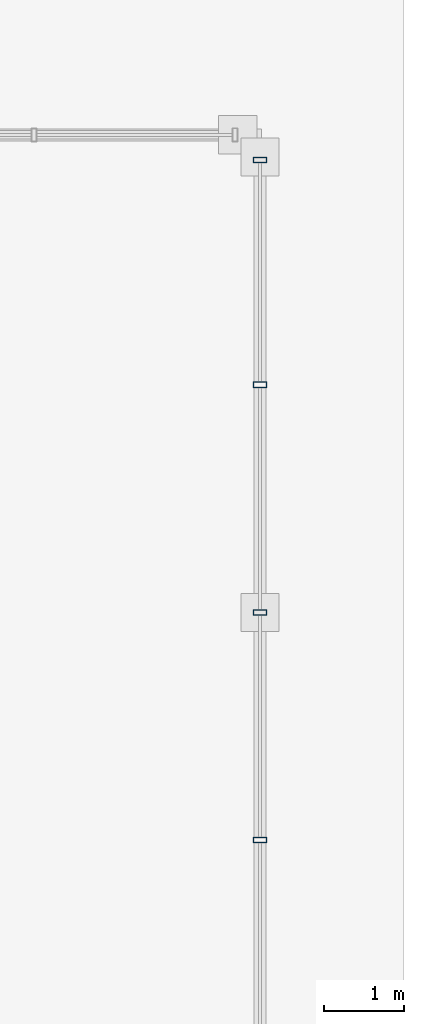
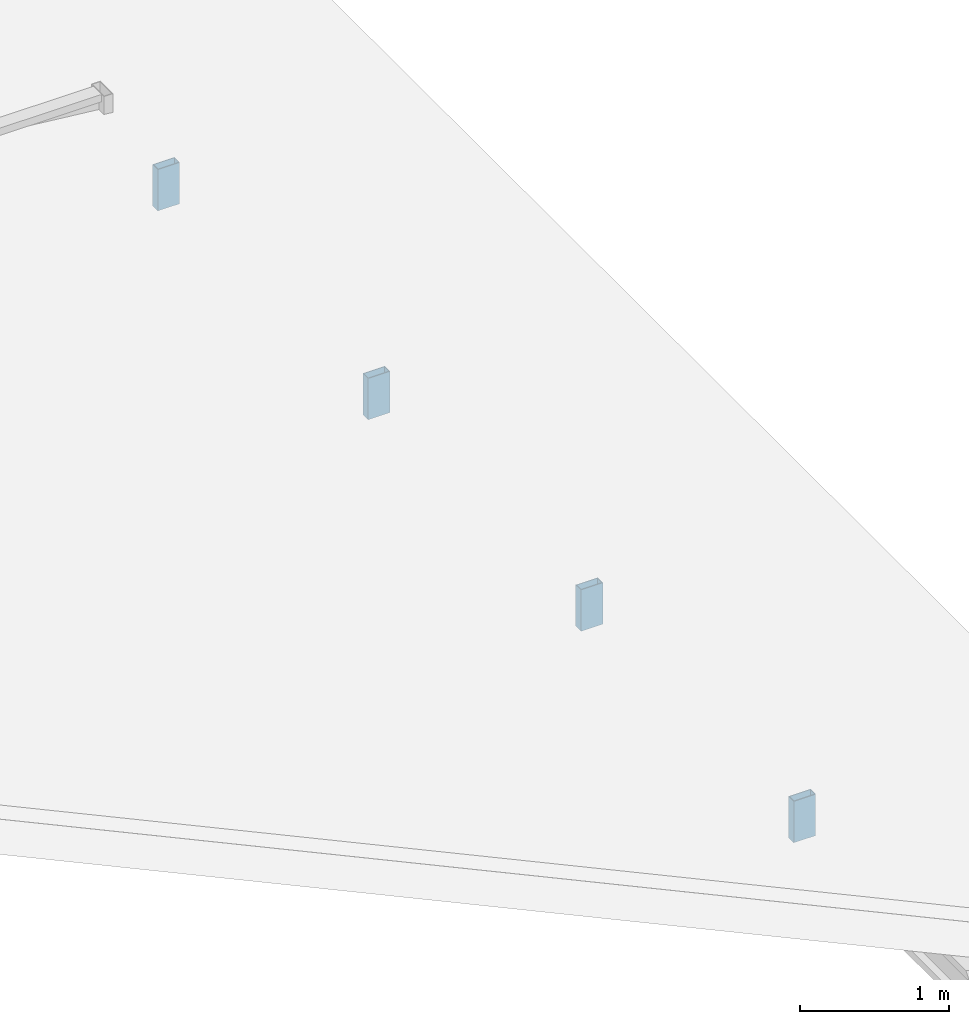
# One storey, part 84 of 117: 4 members, 1 element without a shape of its own.
"""IFC4 building model written with IfcOpenShell, lengths in metres."""

from ifc_helpers import new_model, si_unit, direction, frame, origin, origin_2d, place, context, subcontext, project, spatial, hollow_rectangle, extrude, material, material_profile, profile_set, type_object, element, aggregate, save


model = new_model("IFC4")

# Units and contexts
model_context = context("Model", 3, precision=1e-05, world=origin(), true_north=direction((0.0, 1.0)))
body_context = subcontext(model_context, "Body", "Model", "MODEL_VIEW")
ifc_project = project(units=[si_unit("LENGTHUNIT", "METRE"), si_unit("AREAUNIT", "SQUARE_METRE"), si_unit("VOLUMEUNIT", "CUBIC_METRE"), si_unit("PLANEANGLEUNIT", "RADIAN"), si_unit("MASSUNIT", "GRAM", prefix="KILO")], contexts=[model_context])

# Site, building, storey
site_placement = place(None, origin())
site = spatial("IfcSite", under=ifc_project, at=site_placement, CompositionType="ELEMENT")
building_placement = place(site_placement, origin())
building = spatial("IfcBuilding", under=site, at=building_placement, Name="Merenkruunu Market Hall", CompositionType="ELEMENT")
storey_placement = place(building_placement, frame((0.0, 0.0, 22.800048828125)))
storey = spatial("IfcBuildingStorey", under=building, at=storey_placement, Name="RF", CompositionType="ELEMENT", Elevation=22.800048828125)

# Curtain wall, members
ifc_material = material(Name="Powder-coated aluminium", Category="aluminium")
curtain_wall_type = type_object("IfcCurtainWallType", Name="Clerestory Curtain Band CL04", PredefinedType="USERDEFINED", material=ifc_material)
curtain_wall_placement = place(storey_placement, origin())
curtain_wall = element("IfcCurtainWall", 1, at=curtain_wall_placement, inside=storey, type_object=curtain_wall_type, Name="CW-RF-CWM04-241", ObjectType="CLERESTORY_BAND", PredefinedType="USERDEFINED")
ifc_material_profile = material_profile(ifc_material, hollow_rectangle(XDim=0.070068359375, YDim=0.169921875, WallThickness=0.0048828125, at=origin_2d()), Name="ALU 70x170x5")
ifc_profile_set = profile_set([ifc_material_profile], Name="Powder-coated aluminium")
member_type = type_object("IfcMemberType", Name="Curtain Wall Mullion CWM04", PredefinedType="MULLION", material=ifc_profile_set)
member_1_placement = place(storey_placement, frame((192.0, 27.284912109375, -1.719970703125), z_axis=(0.0, 0.0, 1.0), x_axis=(0.0, -1.0, 0.0)))
member_1 = element("IfcMember", 2, at=member_1_placement, type_object=member_type, Name="CL04 mullion 1", PredefinedType="MULLION", context=body_context, shape_type="SweptSolid", body=[
    extrude(hollow_rectangle(XDim=0.070068359375, YDim=0.169921875, WallThickness=0.0048828125, at=origin_2d()), origin(), (0.0, 0.0, 1.0), 0.33984375),
])
member_2_placement = place(storey_placement, frame((192.0, 24.4599609375, -1.719970703125), z_axis=(0.0, 0.0, 1.0), x_axis=(0.0, -1.0, 0.0)))
member_2 = element("IfcMember", 3, at=member_2_placement, type_object=member_type, Name="CL04 mullion 2", PredefinedType="MULLION", context=body_context, shape_type="SweptSolid", body=[
    extrude(hollow_rectangle(XDim=0.070068359375, YDim=0.169921875, WallThickness=0.0048828125, at=origin_2d()), origin(), (0.0, 0.0, 1.0), 0.33984375),
])
member_3_placement = place(storey_placement, frame((192.0, 21.60009765625, -1.719970703125), z_axis=(0.0, 0.0, 1.0), x_axis=(0.0, -1.0, 0.0)))
member_3 = element("IfcMember", 4, at=member_3_placement, type_object=member_type, Name="CL04 mullion 3", PredefinedType="MULLION", context=body_context, shape_type="SweptSolid", body=[
    extrude(hollow_rectangle(XDim=0.070068359375, YDim=0.169921875, WallThickness=0.0048828125, at=origin_2d()), origin(), (0.0, 0.0, 1.0), 0.33984375),
])
member_4_placement = place(storey_placement, frame((192.0, 18.739990234375, -1.719970703125), z_axis=(0.0, 0.0, 1.0), x_axis=(0.0, -1.0, 0.0)))
member_4 = element("IfcMember", 5, at=member_4_placement, type_object=member_type, Name="CL04 mullion 4", PredefinedType="MULLION", context=body_context, shape_type="SweptSolid", body=[
    extrude(hollow_rectangle(XDim=0.070068359375, YDim=0.169921875, WallThickness=0.0048828125, at=origin_2d()), origin(), (0.0, 0.0, 1.0), 0.33984375),
])
aggregate(curtain_wall, [member_1, member_2, member_3, member_4])

save(model, "model.ifc")
